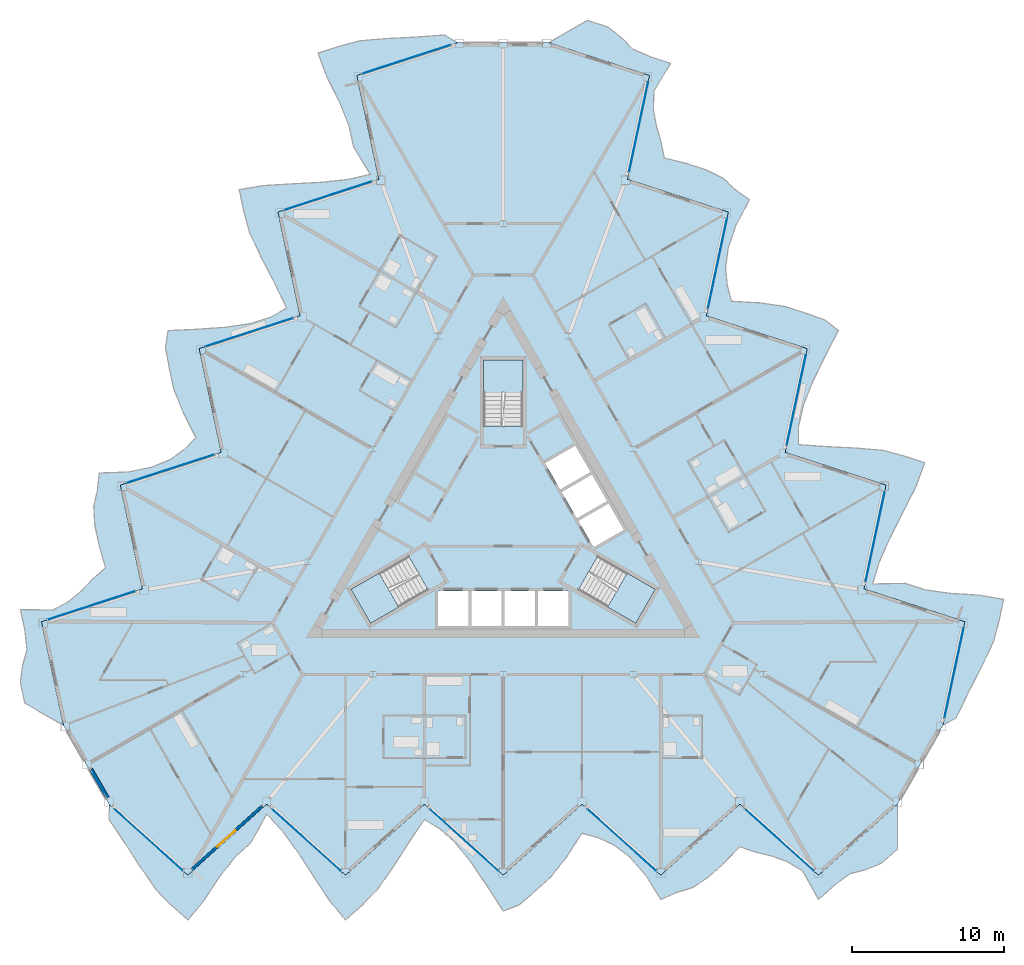
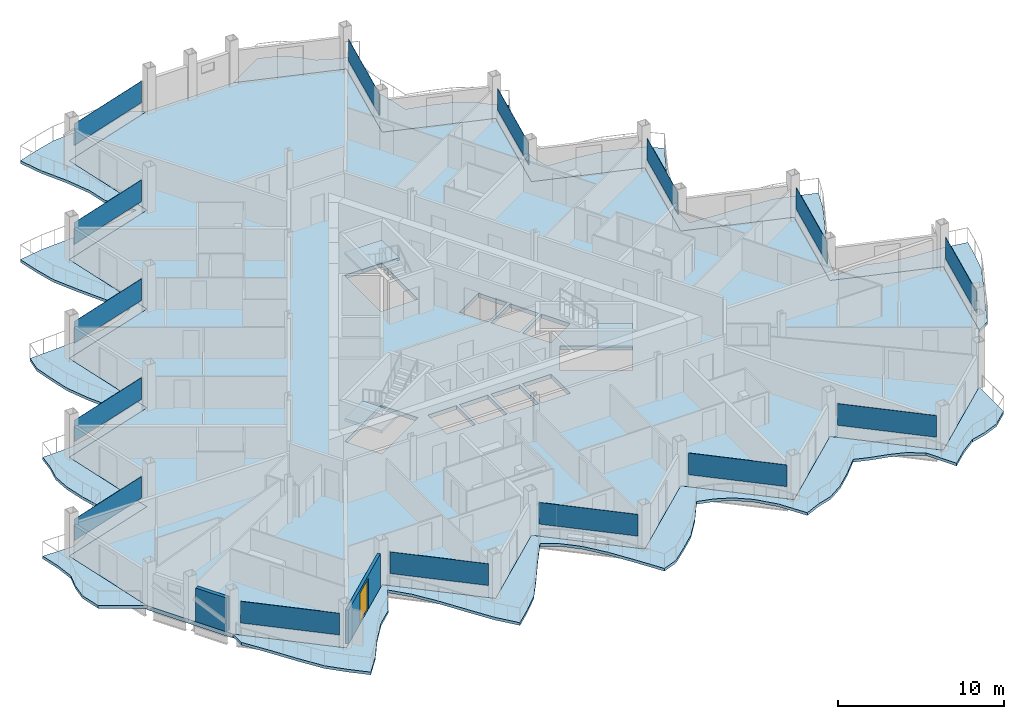
# One storey, part 11 of 26: 15 plates, 7 slabs, 2 walls, 1 door, 1 opening, 18 elements without a shape of their own.
"""IFC4 building model written with IfcOpenShell, lengths in metres."""

from ifc_helpers import new_model, si_unit, direction, frame, frame_2d, origin, origin_2d, place, context, subcontext, project, spatial, polyline, rectangle, outline, extrude, material, layer, layer_set, type_object, element, fill, aggregate, save


model = new_model("IFC4")

# Units and contexts
model_context = context("Model", 3, precision=1e-05, world=origin(), true_north=direction((0.0, 1.0)))
body_context = subcontext(model_context, "Body", "Model", "MODEL_VIEW")
ifc_project = project(units=[si_unit("LENGTHUNIT", "METRE"), si_unit("AREAUNIT", "SQUARE_METRE"), si_unit("VOLUMEUNIT", "CUBIC_METRE"), si_unit("PLANEANGLEUNIT", "RADIAN"), si_unit("MASSUNIT", "GRAM", prefix="KILO")], contexts=[model_context])

# Site, building, storey
site_placement = place(None, origin())
site = spatial("IfcSite", under=ifc_project, at=site_placement, CompositionType="ELEMENT")
building_placement = place(site_placement, origin())
building = spatial("IfcBuilding", under=site, at=building_placement, Name="Cormorant Prow Tower", CompositionType="ELEMENT")
storey_placement = place(building_placement, frame((0.0, 0.0, 342.60009765625)))
storey = spatial("IfcBuildingStorey", under=building, at=storey_placement, Name="L77", CompositionType="ELEMENT", Elevation=342.60009765625)

# Slabs
ifc_material_1 = material(Name="Concrete C40/50", Category="concrete")
ifc_layer_1 = layer(ifc_material_1, 0.199951171875)
ifc_layer_set_1 = layer_set([ifc_layer_1], Name="Concrete C40/50")
slab_type_1 = type_object("IfcSlabType", Name="Balcony slab 200", PredefinedType="FLOOR", material=ifc_layer_set_1)
slab_1_placement = place(storey_placement, frame((0.0, 0.0, -0.2001953125)))
element("IfcSlab", 1, at=slab_1_placement, inside=storey, type_object=slab_type_1, Name="Balcony slab S L77", PredefinedType="FLOOR", context=body_context, shape_type="SweptSolid", body=[
    extrude(outline(polyline([(-25.987548828125, -18.465576171875), (-25.987548828125, -19.481689453125), (-24.9482421875, -21.009033203125), (-23.90869140625, -22.62255859375), (-22.869140625, -24.122802734375), (-21.82958984375, -25.159423828125), (-20.7900390625, -26.095458984375), (-19.75048828125, -24.846923828125), (-18.711181640625, -23.275634765625), (-17.671630859375, -21.9375), (-16.632080078125, -21.00146484375), (-15.592529296875, -19.115478515625), (-14.552978515625, -20.232177734375), (-13.513671875, -21.66357421875), (-12.47412109375, -23.263916015625), (-11.4345703125, -24.83740234375), (-10.39501953125, -26.095458984375), (-9.35546875, -25.159423828125), (-8.316162109375, -24.13037109375), (-7.276611328125, -22.6337890625), (-6.237060546875, -21.020751953125), (-5.197509765625, -19.489990234375), (-4.157958984375, -20.089111328125), (-3.118408203125, -21.044677734375), (-2.0791015625, -22.351318359375), (-1.03955078125, -23.89990234375), (0.0, -25.510009765625), (1.03955078125, -25.111572265625), (2.0791015625, -24.223388671875), (3.118408203125, -23.287353515625), (4.157958984375, -21.96923828125), (5.197509765625, -20.38330078125), (6.237060546875, -20.6640625), (7.276611328125, -21.13232421875), (8.316162109375, -21.926025390625), (9.35546875, -23.08642578125), (10.39501953125, -24.745361328125), (11.4345703125, -24.283935546875), (12.47412109375, -23.968505859375), (13.513671875, -23.287353515625), (14.552978515625, -22.3515625), (15.592529296875, -21.26611328125), (16.632080078125, -21.616943359375), (17.671630859375, -21.875), (18.711181640625, -22.23974609375), (19.75048828125, -22.879150390625), (20.7900390625, -24.745361328125), (21.82958984375, -23.809326171875), (22.869140625, -23.047607421875), (23.90869140625, -22.779541015625), (24.9482421875, -22.3515625), (25.987548828125, -21.41552734375), (25.987548828125, -18.465576171875), (24.9482421875, -19.401611328125), (23.90869140625, -20.33740234375), (22.869140625, -21.2734375), (21.82958984375, -22.20947265625), (20.7900390625, -23.1455078125), (19.75048828125, -22.20947265625), (18.711181640625, -21.2734375), (17.671630859375, -20.33740234375), (16.632080078125, -19.401611328125), (15.592529296875, -18.465576171875), (14.552978515625, -19.401611328125), (13.513671875, -20.33740234375), (12.47412109375, -21.2734375), (11.4345703125, -22.20947265625), (10.39501953125, -23.1455078125), (9.35546875, -22.20947265625), (8.316162109375, -21.2734375), (7.276611328125, -20.33740234375), (6.237060546875, -19.401611328125), (5.197509765625, -18.465576171875), (4.157958984375, -19.401611328125), (3.118408203125, -20.33740234375), (2.0791015625, -21.2734375), (1.03955078125, -22.20947265625), (0.0, -23.1455078125), (-1.03955078125, -22.20947265625), (-2.0791015625, -21.2734375), (-3.118408203125, -20.33740234375), (-4.157958984375, -19.401611328125), (-5.197509765625, -18.465576171875), (-6.237060546875, -19.401611328125), (-7.276611328125, -20.33740234375), (-8.316162109375, -21.2734375), (-9.35546875, -22.20947265625), (-10.39501953125, -23.1455078125), (-11.4345703125, -22.20947265625), (-12.47412109375, -21.2734375), (-13.513671875, -20.33740234375), (-14.552978515625, -19.401611328125), (-15.592529296875, -18.465576171875), (-16.632080078125, -19.401611328125), (-17.671630859375, -20.33740234375), (-18.711181640625, -21.2734375), (-19.75048828125, -22.20947265625), (-20.7900390625, -23.1455078125), (-21.82958984375, -22.20947265625), (-22.869140625, -21.2734375), (-23.90869140625, -20.33740234375), (-24.9482421875, -19.401611328125), (-25.987548828125, -18.465576171875)])), origin(), (0.0, 0.0, 1.0), 0.2001953125),
])
slab_2_placement = place(storey_placement, frame((0.0, 0.0, -0.2001953125)))
element("IfcSlab", 2, at=slab_2_placement, inside=storey, type_object=slab_type_1, Name="Balcony slab ENE L77", PredefinedType="FLOOR", context=body_context, shape_type="SweptSolid", body=[
    extrude(outline(polyline([(28.9853515625, -13.273193359375), (29.865478515625, -12.76513671875), (30.66845703125, -11.10107421875), (31.546142578125, -9.394287109375), (32.325439453125, -7.743896484375), (32.70361328125, -6.3251953125), (32.994384765625, -4.95703125), (31.3935546875, -4.680908203125), (29.512939453125, -4.56640625), (27.834228515625, -4.335205078125), (26.50390625, -3.903076171875), (24.350830078125, -3.94580078125), (24.79833984375, -2.4873046875), (25.51806640625, -0.871337890625), (26.384033203125, 0.8291015625), (27.22705078125, 2.51611328125), (27.796875, 4.04541015625), (26.466552734375, 4.4775390625), (25.0556640625, 4.86328125), (23.23974609375, 5.015380859375), (21.322998046875, 5.10888671875), (19.4775390625, 5.243896484375), (19.4765625, 6.443603515625), (19.784423828125, 7.821533203125), (20.396240234375, 9.375244140625), (21.217529296875, 11.049560546875), (22.09228515625, 12.755126953125), (21.2275390625, 13.4560546875), (19.938720703125, 13.912109375), (18.6083984375, 14.344482421875), (16.94677734375, 14.58544921875), (15.0537109375, 14.69287109375), (14.777099609375, 15.7333984375), (14.6630859375, 16.867919921875), (14.830322265625, 18.164794921875), (15.315673828125, 19.645263671875), (16.232666015625, 21.375), (15.313232421875, 22.04443359375), (14.520263671875, 22.787109375), (13.41064453125, 23.346923828125), (12.080322265625, 23.779052734375), (10.62060546875, 24.136474609375), (10.40478515625, 25.212158203125), (10.1083984375, 26.241455078125), (9.904541015625, 27.32421875), (9.938720703125, 28.544189453125), (11.03515625, 30.37744140625), (9.704833984375, 30.809814453125), (8.525146484375, 31.3291015625), (7.773193359375, 32.09521484375), (6.8828125, 32.781494140625), (5.552490234375, 33.213623046875), (2.997802734375, 31.73876953125), (4.328125, 31.306396484375), (5.658447265625, 30.874267578125), (6.98876953125, 30.44189453125), (8.319091796875, 30.009765625), (9.6494140625, 29.577392578125), (9.358642578125, 28.209228515625), (9.06787109375, 26.841064453125), (8.77685546875, 25.472900390625), (8.486083984375, 24.1044921875), (8.1953125, 22.736328125), (9.525634765625, 22.30419921875), (10.85595703125, 21.871826171875), (12.186279296875, 21.439697265625), (13.5166015625, 21.00732421875), (14.846923828125, 20.5751953125), (14.55615234375, 19.206787109375), (14.265380859375, 17.838623046875), (13.974609375, 16.470458984375), (13.68359375, 15.102294921875), (13.392822265625, 13.73388671875), (14.72314453125, 13.3017578125), (16.053466796875, 12.869384765625), (17.3837890625, 12.437255859375), (18.714111328125, 12.0048828125), (20.04443359375, 11.57275390625), (19.753662109375, 10.20458984375), (19.462890625, 8.836181640625), (19.172119140625, 7.468017578125), (18.881103515625, 6.099853515625), (18.59033203125, 4.7314453125), (19.920654296875, 4.29931640625), (21.2509765625, 3.866943359375), (22.581298828125, 3.434814453125), (23.91162109375, 3.002685546875), (25.241943359375, 2.5703125), (24.951171875, 1.2021484375), (24.660400390625, -0.166259765625), (24.36962890625, -1.534423828125), (24.07861328125, -2.902587890625), (23.787841796875, -4.270751953125), (25.1181640625, -4.703125), (26.448486328125, -5.13525390625), (27.77880859375, -5.567626953125), (29.109130859375, -5.999755859375), (30.439453125, -6.43212890625), (30.148681640625, -7.80029296875), (29.85791015625, -9.16845703125), (29.567138671875, -10.536865234375), (29.2763671875, -11.905029296875), (28.9853515625, -13.273193359375)])), origin(), (0.0, 0.0, 1.0), 0.2001953125),
])
slab_3_placement = place(storey_placement, frame((0.0, 0.0, -0.2001953125)))
element("IfcSlab", 3, at=slab_3_placement, inside=storey, type_object=slab_type_1, Name="Balcony slab WNW L77", PredefinedType="FLOOR", context=body_context, shape_type="SweptSolid", body=[
    extrude(outline(polyline([(-2.997802734375, 31.73876953125), (-3.877685546875, 32.246826171875), (-5.720458984375, 32.1103515625), (-7.637451171875, 32.016845703125), (-9.456298828125, 31.86669921875), (-10.873779296875, 31.484619140625), (-12.2041015625, 31.052490234375), (-11.642822265625, 29.528076171875), (-10.8017578125, 27.842041015625), (-10.16259765625, 26.272705078125), (-9.871826171875, 24.904541015625), (-8.75830078125, 23.061279296875), (-10.2451171875, 22.719482421875), (-12.00439453125, 22.534912109375), (-13.91015625, 22.434814453125), (-15.79248046875, 22.3212890625), (-17.40185546875, 22.050048828125), (-17.11083984375, 20.681884765625), (-16.739501953125, 19.26708984375), (-15.963134765625, 17.61865234375), (-15.0859375, 15.911865234375), (-14.280029296875, 14.246337890625), (-15.318603515625, 13.6455078125), (-16.666015625, 13.22314453125), (-18.3173828125, 12.97607421875), (-20.17822265625, 12.85009765625), (-22.09228515625, 12.755126953125), (-22.26708984375, 11.655517578125), (-22.017578125, 10.311279296875), (-21.726806640625, 8.943115234375), (-21.10498046875, 7.383544921875), (-20.251220703125, 5.6904296875), (-21.01416015625, 4.9306640625), (-21.939453125, 4.2646484375), (-23.146484375, 3.760986328125), (-24.671142578125, 3.441162109375), (-26.627685546875, 3.370361328125), (-26.747802734375, 2.2392578125), (-26.994384765625, 1.181396484375), (-26.92431640625, -0.059326171875), (-26.633544921875, -1.427490234375), (-26.213134765625, -2.87060546875), (-27.036865234375, -3.595458984375), (-27.780029296875, -4.36669921875), (-28.61572265625, -5.08447265625), (-29.689208984375, -5.6650390625), (-31.8251953125, -5.632080078125), (-31.534423828125, -7.000244140625), (-31.394287109375, -8.281494140625), (-31.681884765625, -9.315673828125), (-31.8310546875, -10.429931640625), (-31.540283203125, -11.798095703125), (-28.9853515625, -13.273193359375), (-29.2763671875, -11.905029296875), (-29.567138671875, -10.536865234375), (-29.85791015625, -9.16845703125), (-30.148681640625, -7.80029296875), (-30.439453125, -6.43212890625), (-29.109130859375, -5.999755859375), (-27.77880859375, -5.567626953125), (-26.448486328125, -5.13525390625), (-25.1181640625, -4.703125), (-23.787841796875, -4.270751953125), (-24.07861328125, -2.902587890625), (-24.36962890625, -1.534423828125), (-24.660400390625, -0.166259765625), (-24.951171875, 1.2021484375), (-25.241943359375, 2.5703125), (-23.91162109375, 3.002685546875), (-22.581298828125, 3.434814453125), (-21.2509765625, 3.866943359375), (-19.920654296875, 4.29931640625), (-18.59033203125, 4.7314453125), (-18.881103515625, 6.099853515625), (-19.172119140625, 7.468017578125), (-19.462890625, 8.836181640625), (-19.753662109375, 10.20458984375), (-20.04443359375, 11.57275390625), (-18.714111328125, 12.0048828125), (-17.3837890625, 12.437255859375), (-16.053466796875, 12.869384765625), (-14.72314453125, 13.3017578125), (-13.392822265625, 13.73388671875), (-13.68359375, 15.102294921875), (-13.974609375, 16.470458984375), (-14.265380859375, 17.838623046875), (-14.55615234375, 19.206787109375), (-14.846923828125, 20.5751953125), (-13.5166015625, 21.00732421875), (-12.186279296875, 21.439697265625), (-10.85595703125, 21.871826171875), (-9.525634765625, 22.30419921875), (-8.1953125, 22.736328125), (-8.486083984375, 24.1044921875), (-8.77685546875, 25.472900390625), (-9.06787109375, 26.841064453125), (-9.358642578125, 28.209228515625), (-9.6494140625, 29.577392578125), (-8.319091796875, 30.009765625), (-6.98876953125, 30.44189453125), (-5.658447265625, 30.874267578125), (-4.328125, 31.306396484375), (-2.997802734375, 31.73876953125)])), origin(), (0.0, 0.0, 1.0), 0.2001953125),
])
ifc_material_2 = material(Name="Concrete C40/50", Category="concrete")
ifc_layer_2 = layer(ifc_material_2, 0.300048828125)
ifc_layer_set_2 = layer_set([ifc_layer_2], Name="Concrete C40/50")
slab_type_2 = type_object("IfcSlabType", Name="Post-tensioned flat slab 300", PredefinedType="FLOOR", material=ifc_layer_set_2)
slab_4_placement = place(storey_placement, frame((0.0, 0.0, -0.300048828125)))
element("IfcSlab", 4, at=slab_4_placement, inside=storey, type_object=slab_type_2, Name="Floor slab L77", PredefinedType="FLOOR", context=body_context, shape_type="SweptSolid", body=[
    extrude(outline(polyline([(-8.1953125, 22.736328125), (-14.846923828125, 20.5751953125), (-13.392822265625, 13.73388671875), (-20.04443359375, 11.57275390625), (-18.59033203125, 4.7314453125), (-25.241943359375, 2.5703125), (-23.787841796875, -4.270751953125), (-30.439453125, -6.43212890625), (-28.9853515625, -13.273193359375), (-27.486572265625, -15.869384765625), (-25.987548828125, -18.465576171875), (-20.7900390625, -23.1455078125), (-15.592529296875, -18.465576171875), (-10.39501953125, -23.1455078125), (-5.197509765625, -18.465576171875), (0.0, -23.1455078125), (5.197509765625, -18.465576171875), (10.39501953125, -23.1455078125), (15.592529296875, -18.465576171875), (20.7900390625, -23.1455078125), (25.987548828125, -18.465576171875), (27.486572265625, -15.869384765625), (28.9853515625, -13.273193359375), (30.439453125, -6.43212890625), (23.787841796875, -4.270751953125), (25.241943359375, 2.5703125), (18.59033203125, 4.7314453125), (20.04443359375, 11.57275390625), (13.392822265625, 13.73388671875), (14.846923828125, 20.5751953125), (8.1953125, 22.736328125), (9.6494140625, 29.577392578125), (2.997802734375, 31.73876953125), (0.0, 31.73876953125), (-2.997802734375, 31.73876953125), (-9.6494140625, 29.577392578125), (-8.1953125, 22.736328125)]), holes=[polyline([(-4.300048828125, -4.39990234375), (-2.300048828125, -4.39990234375), (-2.300048828125, -6.699951171875), (-4.300048828125, -6.699951171875), (-4.300048828125, -4.39990234375)]), polyline([(-0.10009765625, -4.39990234375), (-0.10009765625, -6.699951171875), (-2.10009765625, -6.699951171875), (-2.10009765625, -4.39990234375), (-0.10009765625, -4.39990234375)]), polyline([(2.10009765625, -6.699951171875), (0.10009765625, -6.699951171875), (0.10009765625, -4.39990234375), (2.10009765625, -4.39990234375), (2.10009765625, -6.699951171875)]), polyline([(2.300048828125, -6.699951171875), (2.300048828125, -4.39990234375), (4.300048828125, -4.39990234375), (4.300048828125, -6.699951171875), (2.300048828125, -6.699951171875)]), polyline([(5.96044921875, -1.52392578125), (4.96044921875, 0.2080078125), (6.952392578125, 1.358154296875), (7.952392578125, -0.373779296875), (5.96044921875, -1.52392578125)]), polyline([(3.860595703125, 2.11328125), (5.852294921875, 3.263427734375), (6.852294921875, 1.53125), (4.860595703125, 0.38134765625), (3.860595703125, 2.11328125)]), polyline([(4.75244140625, 5.168701171875), (5.75244140625, 3.4365234375), (3.760498046875, 2.28662109375), (2.760498046875, 4.018798828125), (4.75244140625, 5.168701171875)]), polyline([(-4.947509765625, -4.3505859375), (-8.738037109375, -6.5390625), (-10.031982421875, -4.2978515625), (-6.241455078125, -2.109375), (-4.947509765625, -4.3505859375)]), polyline([(10.031982421875, -4.2978515625), (8.738037109375, -6.5390625), (4.947509765625, -4.3505859375), (6.241455078125, -2.109375), (10.031982421875, -4.2978515625)]), polyline([(1.2939453125, 10.8369140625), (1.2939453125, 6.459716796875), (-1.2939453125, 6.459716796875), (-1.2939453125, 10.8369140625), (1.2939453125, 10.8369140625)])]), origin(), (0.0, 0.0, 1.0), 0.300048828125),
])

# Curtain wall, plate
ifc_material_3 = material(Name="Aluminium 6063-T6", Category="aluminium")
ifc_layer_3 = layer(ifc_material_3, 0.159912109375)
ifc_layer_set_3 = layer_set([ifc_layer_3], Name="Aluminium 6063-T6")
curtain_wall_type = type_object("IfcCurtainWallType", Name="Residential unitised curtain wall 160", PredefinedType="NOTDEFINED", material=ifc_layer_set_3)
curtain_wall_1_placement = place(storey_placement, origin())
curtain_wall_1 = element("IfcCurtainWall", 5, at=curtain_wall_1_placement, inside=storey, type_object=curtain_wall_type, Name="Residential curtain wall S00", PredefinedType="NOTDEFINED")
ifc_material_4 = material(Name="Clear glass", Category="glass")
ifc_layer_4 = layer(ifc_material_4, 0.02392578125)
ifc_layer_set_4 = layer_set([ifc_layer_4], Name="Clear glass")
plate_type = type_object("IfcPlateType", Name="Residential glass panel 24", PredefinedType="CURTAIN_PANEL", material=ifc_layer_set_4)
plate_1_placement = place(storey_placement, frame((-23.370361328125, -20.822265625, 0.89990234375), z_axis=(0.0, 0.0, 1.0), x_axis=(0.743144777922, -0.669130659174, 0.0)))
plate_1 = element("IfcPlate", 6, at=plate_1_placement, type_object=plate_type, Name="Residential glass panel S00", PredefinedType="CURTAIN_PANEL", context=body_context, shape_type="SweptSolid", body=[
    extrude(rectangle(XDim=6.075927734375, YDim=0.02392578125, at=origin_2d()), origin(), (0.0, 0.0, 1.0), 1.587890625),
])
aggregate(curtain_wall_1, [plate_1])

curtain_wall_2_placement = place(storey_placement, origin())
curtain_wall_2 = element("IfcCurtainWall", 7, at=curtain_wall_2_placement, inside=storey, type_object=curtain_wall_type, Name="Residential curtain wall S02", PredefinedType="NOTDEFINED")
plate_2_placement = place(storey_placement, frame((-12.975341796875, -20.822265625, 0.89990234375), z_axis=(0.0, 0.0, 1.0), x_axis=(0.743144841944, -0.669130588071, 0.0)))
plate_2 = element("IfcPlate", 8, at=plate_2_placement, type_object=plate_type, Name="Residential glass panel S02", PredefinedType="CURTAIN_PANEL", context=body_context, shape_type="SweptSolid", body=[
    extrude(rectangle(XDim=6.075927734375, YDim=0.02392578125, at=origin_2d()), origin(), (0.0, 0.0, 1.0), 1.587890625),
])
aggregate(curtain_wall_2, [plate_2])

curtain_wall_3_placement = place(storey_placement, origin())
curtain_wall_3 = element("IfcCurtainWall", 9, at=curtain_wall_3_placement, inside=storey, type_object=curtain_wall_type, Name="Residential curtain wall S04", PredefinedType="NOTDEFINED")
plate_3_placement = place(storey_placement, frame((-2.580078125, -20.822265625, 0.89990234375), z_axis=(0.0, 0.0, 1.0), x_axis=(0.743144841944, -0.669130588071, 0.0)))
plate_3 = element("IfcPlate", 10, at=plate_3_placement, type_object=plate_type, Name="Residential glass panel S04", PredefinedType="CURTAIN_PANEL", context=body_context, shape_type="SweptSolid", body=[
    extrude(rectangle(XDim=6.075927734375, YDim=0.02392578125, at=origin_2d()), origin(), (0.0, 0.0, 1.0), 1.587890625),
])
aggregate(curtain_wall_3, [plate_3])

curtain_wall_4_placement = place(storey_placement, origin())
curtain_wall_4 = element("IfcCurtainWall", 11, at=curtain_wall_4_placement, inside=storey, type_object=curtain_wall_type, Name="Residential curtain wall S06", PredefinedType="NOTDEFINED")
plate_4_placement = place(storey_placement, frame((7.81494140625, -20.822265625, 0.89990234375), z_axis=(0.0, 0.0, 1.0), x_axis=(0.743144777922, -0.669130659174, 0.0)))
plate_4 = element("IfcPlate", 12, at=plate_4_placement, type_object=plate_type, Name="Residential glass panel S06", PredefinedType="CURTAIN_PANEL", context=body_context, shape_type="SweptSolid", body=[
    extrude(rectangle(XDim=6.075927734375, YDim=0.02392578125, at=origin_2d()), origin(), (0.0, 0.0, 1.0), 1.587890625),
])
aggregate(curtain_wall_4, [plate_4])

curtain_wall_5_placement = place(storey_placement, origin())
curtain_wall_5 = element("IfcCurtainWall", 13, at=curtain_wall_5_placement, inside=storey, type_object=curtain_wall_type, Name="Residential curtain wall S08", PredefinedType="NOTDEFINED")
plate_5_placement = place(storey_placement, frame((18.2099609375, -20.822265625, 0.89990234375), z_axis=(0.0, 0.0, 1.0), x_axis=(0.743144841944, -0.669130588071, 0.0)))
plate_5 = element("IfcPlate", 14, at=plate_5_placement, type_object=plate_type, Name="Residential glass panel S08", PredefinedType="CURTAIN_PANEL", context=body_context, shape_type="SweptSolid", body=[
    extrude(rectangle(XDim=6.075927734375, YDim=0.02392578125, at=origin_2d()), origin(), (0.0, 0.0, 1.0), 1.587890625),
])
aggregate(curtain_wall_5, [plate_5])

curtain_wall_6_placement = place(storey_placement, origin())
curtain_wall_6 = element("IfcCurtainWall", 15, at=curtain_wall_6_placement, inside=storey, type_object=curtain_wall_type, Name="Residential curtain wall ENE00", PredefinedType="NOTDEFINED")
plate_6_placement = place(storey_placement, frame((29.7177734375, -9.828125, 0.89990234375), z_axis=(0.0, 0.0, 1.0), x_axis=(0.207911710211, 0.978147596612, 0.0)))
plate_6 = element("IfcPlate", 16, at=plate_6_placement, type_object=plate_type, Name="Residential glass panel ENE00", PredefinedType="CURTAIN_PANEL", context=body_context, shape_type="SweptSolid", body=[
    extrude(rectangle(XDim=6.075927734375, YDim=0.02392578125, at=origin_2d()), origin(), (0.0, 0.0, 1.0), 1.587890625),
])
aggregate(curtain_wall_6, [plate_6])

curtain_wall_7_placement = place(storey_placement, origin())
curtain_wall_7 = element("IfcCurtainWall", 17, at=curtain_wall_7_placement, inside=storey, type_object=curtain_wall_type, Name="Residential curtain wall ENE02", PredefinedType="NOTDEFINED")
plate_7_placement = place(storey_placement, frame((24.520263671875, -0.82568359375, 0.89990234375), z_axis=(0.0, 0.0, 1.0), x_axis=(0.207911739302, 0.978147590428, 0.0)))
plate_7 = element("IfcPlate", 18, at=plate_7_placement, type_object=plate_type, Name="Residential glass panel ENE02", PredefinedType="CURTAIN_PANEL", context=body_context, shape_type="SweptSolid", body=[
    extrude(rectangle(XDim=6.075927734375, YDim=0.02392578125, at=origin_2d()), origin(), (0.0, 0.0, 1.0), 1.587890625),
])
aggregate(curtain_wall_7, [plate_7])

curtain_wall_8_placement = place(storey_placement, origin())
curtain_wall_8 = element("IfcCurtainWall", 19, at=curtain_wall_8_placement, inside=storey, type_object=curtain_wall_type, Name="Residential curtain wall ENE04", PredefinedType="NOTDEFINED")
plate_8_placement = place(storey_placement, frame((19.322509765625, 8.176513671875, 0.89990234375), z_axis=(0.0, 0.0, 1.0), x_axis=(0.207911739302, 0.978147590428, 0.0)))
plate_8 = element("IfcPlate", 20, at=plate_8_placement, type_object=plate_type, Name="Residential glass panel ENE04", PredefinedType="CURTAIN_PANEL", context=body_context, shape_type="SweptSolid", body=[
    extrude(rectangle(XDim=6.075927734375, YDim=0.02392578125, at=origin_2d()), origin(), (0.0, 0.0, 1.0), 1.587890625),
])
aggregate(curtain_wall_8, [plate_8])

curtain_wall_9_placement = place(storey_placement, origin())
curtain_wall_9 = element("IfcCurtainWall", 21, at=curtain_wall_9_placement, inside=storey, type_object=curtain_wall_type, Name="Residential curtain wall ENE06", PredefinedType="NOTDEFINED")
plate_9_placement = place(storey_placement, frame((14.125, 17.178955078125, 0.89990234375), z_axis=(0.0, 0.0, 1.0), x_axis=(0.207911739302, 0.978147590428, 0.0)))
plate_9 = element("IfcPlate", 22, at=plate_9_placement, type_object=plate_type, Name="Residential glass panel ENE06", PredefinedType="CURTAIN_PANEL", context=body_context, shape_type="SweptSolid", body=[
    extrude(rectangle(XDim=6.075927734375, YDim=0.02392578125, at=origin_2d()), origin(), (0.0, 0.0, 1.0), 1.587890625),
])
aggregate(curtain_wall_9, [plate_9])

curtain_wall_10_placement = place(storey_placement, origin())
curtain_wall_10 = element("IfcCurtainWall", 23, at=curtain_wall_10_placement, inside=storey, type_object=curtain_wall_type, Name="Residential curtain wall ENE08", PredefinedType="NOTDEFINED")
plate_10_placement = place(storey_placement, frame((8.927490234375, 26.181396484375, 0.89990234375), z_axis=(0.0, 0.0, 1.0), x_axis=(0.207911602505, 0.978147619505, 0.0)))
plate_10 = element("IfcPlate", 24, at=plate_10_placement, type_object=plate_type, Name="Residential glass panel ENE08", PredefinedType="CURTAIN_PANEL", context=body_context, shape_type="SweptSolid", body=[
    extrude(rectangle(XDim=6.075927734375, YDim=0.02392578125, at=origin_2d()), origin(), (0.0, 0.0, 1.0), 1.587890625),
])
aggregate(curtain_wall_10, [plate_10])

curtain_wall_11_placement = place(storey_placement, origin())
curtain_wall_11 = element("IfcCurtainWall", 25, at=curtain_wall_11_placement, inside=storey, type_object=curtain_wall_type, Name="Residential curtain wall WNW00", PredefinedType="NOTDEFINED")
plate_11_placement = place(storey_placement, frame((-6.347412109375, 30.650390625, 0.89990234375), z_axis=(0.0, 0.0, 1.0), x_axis=(-0.951056490963, -0.309017072341, 0.0)))
plate_11 = element("IfcPlate", 26, at=plate_11_placement, type_object=plate_type, Name="Residential glass panel WNW00", PredefinedType="CURTAIN_PANEL", context=body_context, shape_type="SweptSolid", body=[
    extrude(rectangle(XDim=6.075927734375, YDim=0.02392578125, at=origin_2d()), origin(), (0.0, 0.0, 1.0), 1.587890625),
])
aggregate(curtain_wall_11, [plate_11])

curtain_wall_12_placement = place(storey_placement, origin())
curtain_wall_12 = element("IfcCurtainWall", 27, at=curtain_wall_12_placement, inside=storey, type_object=curtain_wall_type, Name="Residential curtain wall WNW02", PredefinedType="NOTDEFINED")
plate_12_placement = place(storey_placement, frame((-11.544921875, 21.64794921875, 0.89990234375), z_axis=(0.0, 0.0, 1.0), x_axis=(-0.951056490963, -0.309017072341, 0.0)))
plate_12 = element("IfcPlate", 28, at=plate_12_placement, type_object=plate_type, Name="Residential glass panel WNW02", PredefinedType="CURTAIN_PANEL", context=body_context, shape_type="SweptSolid", body=[
    extrude(rectangle(XDim=6.075927734375, YDim=0.02392578125, at=origin_2d()), origin(), (0.0, 0.0, 1.0), 1.587890625),
])
aggregate(curtain_wall_12, [plate_12])

curtain_wall_13_placement = place(storey_placement, origin())
curtain_wall_13 = element("IfcCurtainWall", 29, at=curtain_wall_13_placement, inside=storey, type_object=curtain_wall_type, Name="Residential curtain wall WNW04", PredefinedType="NOTDEFINED")
plate_13_placement = place(storey_placement, frame((-16.742431640625, 12.6455078125, 0.89990234375), z_axis=(0.0, 0.0, 1.0), x_axis=(-0.951056504613, -0.309017030329, 0.0)))
plate_13 = element("IfcPlate", 30, at=plate_13_placement, type_object=plate_type, Name="Residential glass panel WNW04", PredefinedType="CURTAIN_PANEL", context=body_context, shape_type="SweptSolid", body=[
    extrude(rectangle(XDim=6.075927734375, YDim=0.02392578125, at=origin_2d()), origin(), (0.0, 0.0, 1.0), 1.587890625),
])
aggregate(curtain_wall_13, [plate_13])

curtain_wall_14_placement = place(storey_placement, origin())
curtain_wall_14 = element("IfcCurtainWall", 31, at=curtain_wall_14_placement, inside=storey, type_object=curtain_wall_type, Name="Residential curtain wall WNW06", PredefinedType="NOTDEFINED")
plate_14_placement = place(storey_placement, frame((-21.93994140625, 3.643310546875, 0.89990234375), z_axis=(0.0, 0.0, 1.0), x_axis=(-0.951056504613, -0.309017030329, 0.0)))
plate_14 = element("IfcPlate", 32, at=plate_14_placement, type_object=plate_type, Name="Residential glass panel WNW06", PredefinedType="CURTAIN_PANEL", context=body_context, shape_type="SweptSolid", body=[
    extrude(rectangle(XDim=6.075927734375, YDim=0.02392578125, at=origin_2d()), origin(), (0.0, 0.0, 1.0), 1.587890625),
])
aggregate(curtain_wall_14, [plate_14])

curtain_wall_15_placement = place(storey_placement, origin())
curtain_wall_15 = element("IfcCurtainWall", 33, at=curtain_wall_15_placement, inside=storey, type_object=curtain_wall_type, Name="Residential curtain wall WNW08", PredefinedType="NOTDEFINED")
plate_15_placement = place(storey_placement, frame((-27.137451171875, -5.359130859375, 0.89990234375), z_axis=(0.0, 0.0, 1.0), x_axis=(-0.951056490963, -0.309017072341, 0.0)))
plate_15 = element("IfcPlate", 34, at=plate_15_placement, type_object=plate_type, Name="Residential glass panel WNW08", PredefinedType="CURTAIN_PANEL", context=body_context, shape_type="SweptSolid", body=[
    extrude(rectangle(XDim=6.075927734375, YDim=0.02392578125, at=origin_2d()), origin(), (0.0, 0.0, 1.0), 1.587890625),
])
aggregate(curtain_wall_15, [plate_15])

# Stair, slab
ifc_material_5 = material(Name="Exit stair 18 risers")
stair_type = type_object("IfcStairType", Name="Exit stair 18 risers", PredefinedType="HALF_TURN_STAIR", material=ifc_material_5)
stair_1_placement = place(storey_placement, origin())
stair_1 = element("IfcStair", 35, at=stair_1_placement, inside=storey, type_object=stair_type, Name="L77 Exit stair ST1", PredefinedType="HALF_TURN_STAIR")
ifc_material_6 = material(Name="Concrete 5000 psi", Category="concrete")
ifc_layer_5 = layer(ifc_material_6, 0.199951171875)
ifc_layer_set_5 = layer_set([ifc_layer_5], Name="Concrete 5000 psi")
slab_type_3 = type_object("IfcSlabType", Name="Stair landing 200", PredefinedType="LANDING", material=ifc_layer_set_5)
slab_5_placement = place(storey_placement, frame((0.0, 0.0, 1.5)))
slab_5 = element("IfcSlab", 36, at=slab_5_placement, type_object=slab_type_3, Name="ST1 landing 1", PredefinedType="LANDING", context=body_context, shape_type="SweptSolid", body=[
    extrude(outline(polyline([(-8.17431640625, -3.225341796875), (-10.031982421875, -4.2978515625), (-8.738037109375, -6.5390625), (-6.88037109375, -5.466552734375), (-8.17431640625, -3.225341796875)])), origin(), (0.0, 0.0, 1.0), 0.199951171875),
])
aggregate(stair_1, [slab_5])

stair_2_placement = place(storey_placement, origin())
stair_2 = element("IfcStair", 37, at=stair_2_placement, inside=storey, type_object=stair_type, Name="L77 Exit stair ST2", PredefinedType="HALF_TURN_STAIR")
slab_6_placement = place(storey_placement, frame((0.0, 0.0, 1.5)))
slab_6 = element("IfcSlab", 38, at=slab_6_placement, type_object=slab_type_3, Name="ST2 landing 1", PredefinedType="LANDING", context=body_context, shape_type="SweptSolid", body=[
    extrude(outline(polyline([(6.88037109375, -5.466552734375), (8.738037109375, -6.5390625), (10.031982421875, -4.2978515625), (8.17431640625, -3.225341796875), (6.88037109375, -5.466552734375)])), origin(), (0.0, 0.0, 1.0), 0.199951171875),
])
aggregate(stair_2, [slab_6])

stair_3_placement = place(storey_placement, origin())
stair_3 = element("IfcStair", 39, at=stair_3_placement, inside=storey, type_object=stair_type, Name="L77 Exit stair ST3", PredefinedType="HALF_TURN_STAIR")
slab_7_placement = place(storey_placement, frame((0.0, 0.0, 1.5)))
slab_7 = element("IfcSlab", 40, at=slab_7_placement, type_object=slab_type_3, Name="ST3 landing 1", PredefinedType="LANDING", context=body_context, shape_type="SweptSolid", body=[
    extrude(outline(polyline([(1.2939453125, 8.69189453125), (1.2939453125, 10.8369140625), (-1.2939453125, 10.8369140625), (-1.2939453125, 8.69189453125), (1.2939453125, 8.69189453125)])), origin(), (0.0, 0.0, 1.0), 0.199951171875),
])
aggregate(stair_3, [slab_7])

# Wall
ifc_material_7 = material(Name="Terracotta", Category="masonry")
ifc_layer_6 = layer(ifc_material_7, 0.25)
ifc_layer_set_6 = layer_set([ifc_layer_6], Name="Terracotta")
wall_type_1 = type_object("IfcWallType", Name="Terracotta bay wall 250", PredefinedType="SOLIDWALL", material=ifc_layer_set_6)
wall_1_placement = place(storey_placement, frame((-27.175537109375, -16.157958984375, 0.0), z_axis=(0.0, 0.0, 1.0), x_axis=(0.499983569942, -0.866034889475, 0.0)))
element("IfcWall", 41, at=wall_1_placement, inside=storey, type_object=wall_type_1, Name="Terracotta bay wall WSW01", PredefinedType="SOLIDWALL", context=body_context, shape_type="SweptSolid", body=[
    extrude(rectangle(XDim=2.158203125, YDim=0.25, at=frame_2d((1.0791015625, 0.0))), origin(), (0.0, 0.0, 1.0), 2.48779296875),
])

# Wall, opening, door
ifc_material_8 = material(Name="Terracotta", Category="masonry")
ifc_layer_7 = layer(ifc_material_8, 0.199951171875)
ifc_layer_set_7 = layer_set([ifc_layer_7], Name="Terracotta")
wall_type_2 = type_object("IfcWallType", Name="Terracotta jamb wall 200", PredefinedType="SOLIDWALL", material=ifc_layer_set_7)
wall_2_placement = place(storey_placement, frame((-20.534423828125, -22.78076171875, 0.0), z_axis=(0.0, 0.0, 1.0), x_axis=(0.743130709041, 0.669146283917, 0.0)))
wall_2 = element("IfcWall", 42, at=wall_2_placement, inside=storey, type_object=wall_type_2, Name="Terracotta jamb wall S01", PredefinedType="SOLIDWALL", context=body_context, shape_type="SweptSolid", body=[
    extrude(rectangle(XDim=6.239990234375, YDim=0.199951171875, at=frame_2d((3.1201171875, 0.0))), origin(), (0.0, 0.0, 1.0), 2.48779296875),
])
opening_placement = place(wall_2_placement, frame((2.262939453125, 0.0, 0.0)))
opening = element("IfcOpeningElement", 43, at=opening_placement, cuts=wall_2, Name="Opening ED77.01", PredefinedType="OPENING", context=body_context, shape_type="SweptSolid", body=[
    extrude(rectangle(XDim=1.60009765625, YDim=2.25, at=frame_2d((0.800048828125, 1.125))), frame((0.0, 0.10986328125, 0.0), z_axis=(0.0, -1.0, 0.0), x_axis=(1.0, 0.0, 0.0)), (0.0, 0.0, 1.0), 0.219970703125),
])
ifc_material_9 = material(Name="Aluminium 6063-T6", Category="aluminium")
door_type = type_object("IfcDoorType", Name="Balcony door 1600x2250", OperationType="DOUBLE_DOOR_SINGLE_SWING", PredefinedType="DOOR", material=ifc_material_9)
door_placement = place(opening_placement, origin())
door = element("IfcDoor", 44, at=door_placement, inside=storey, type_object=door_type, Name="Balcony door S01 ED77.01", OperationType="DOUBLE_DOOR_SINGLE_SWING", OverallHeight=2.25, OverallWidth=1.60009765625, PredefinedType="DOOR", context=body_context, shape_type="SweptSolid", body=[
    extrude(rectangle(XDim=1.60009765625, YDim=2.25, at=frame_2d((0.800048828125, 1.125))), frame((0.0, 0.02490234375, 0.0), z_axis=(0.0, -1.0, 0.0), x_axis=(1.0, 0.0, 0.0)), (0.0, 0.0, 1.0), 0.050048828125),
])
fill(opening, door)

save(model, "model.ifc")
